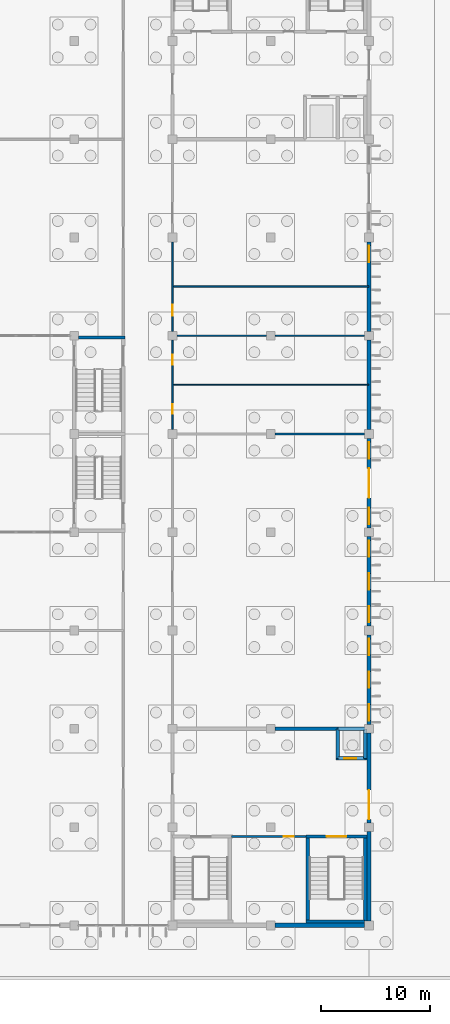
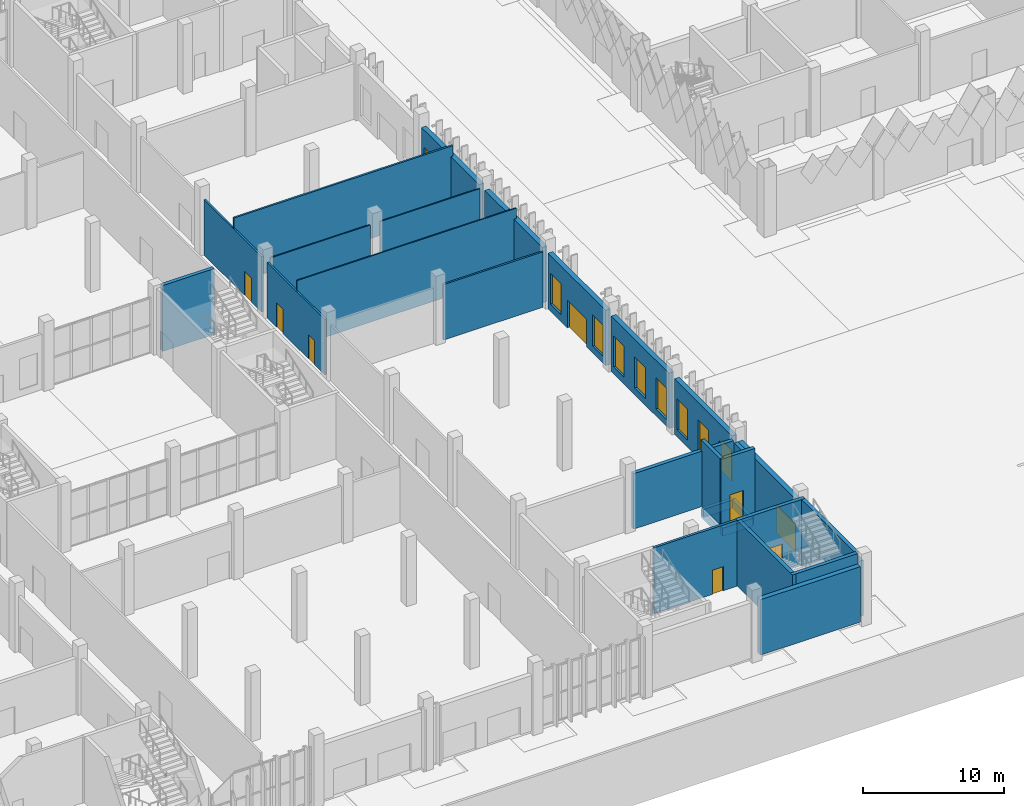
# One storey, part 80 of 198: 29 walls, 9 windows, 8 doors, 17 openings.
"""IFC4 building model written with IfcOpenShell, lengths in metres."""

from ifc_helpers import new_model, si_unit, direction, frame, frame_2d, origin, place, context, subcontext, project, spatial, rectangle, extrude, material, layer, layer_set, type_object, element, fill, save


model = new_model("IFC4")

# Units and contexts
model_context = context("Model", 3, precision=1e-05, world=origin(), true_north=direction((0.0, 1.0)))
body_context = subcontext(model_context, "Body", "Model", "MODEL_VIEW")
ifc_project = project(units=[si_unit("LENGTHUNIT", "METRE"), si_unit("AREAUNIT", "SQUARE_METRE"), si_unit("VOLUMEUNIT", "CUBIC_METRE"), si_unit("PLANEANGLEUNIT", "RADIAN"), si_unit("MASSUNIT", "GRAM", prefix="KILO")], contexts=[model_context])

# Site, building, storey
site_placement = place(None, origin())
site = spatial("IfcSite", under=ifc_project, at=site_placement, CompositionType="ELEMENT")
building_placement = place(site_placement, origin())
building = spatial("IfcBuilding", under=site, at=building_placement, Name="Opaline Strait Convention Centre", CompositionType="ELEMENT")
storey_placement = place(building_placement, origin())
storey = spatial("IfcBuildingStorey", under=building, at=storey_placement, Name="L00", CompositionType="ELEMENT", Elevation=0.0)

# Wall, opening, door
ifc_material_1 = material(Name="Gypsum board on metal studs with mineral wool")
ifc_layer_1 = layer(ifc_material_1, 0.199951171875)
ifc_layer_set_1 = layer_set([ifc_layer_1], Name="Gypsum board on metal studs with mineral wool")
wall_type_1 = type_object("IfcWallType", Name="Fire partition 200", PredefinedType="PARTITIONING", material=ifc_layer_set_1)
wall_1_placement = place(storey_placement, frame((75.25, 17.14990234375, 0.0), z_axis=(0.0, 0.0, 1.0), x_axis=(-1.0, 0.0, 0.0)))
wall_1 = element("IfcWall", 1, at=wall_1_placement, inside=storey, type_object=wall_type_1, Name="SE core STORE-N wall", PredefinedType="PARTITIONING", context=body_context, shape_type="SweptSolid", body=[
    extrude(rectangle(XDim=6.85009765625, YDim=0.199951171875, at=frame_2d((3.425048828125, 0.0))), origin(), (0.0, 0.0, 1.0), 5.719970703125),
])
opening_1_placement = place(wall_1_placement, frame((1.14990234375, 0.0, 0.0)))
opening_1 = element("IfcOpeningElement", 2, at=opening_1_placement, cuts=wall_1, Name="Opening R0-009", PredefinedType="OPENING", context=body_context, shape_type="SweptSolid", body=[
    extrude(rectangle(XDim=0.89990234375, YDim=2.10009765625, at=frame_2d((0.449951171875, 1.050048828125))), frame((0.0, 0.10986328125, 0.0), z_axis=(0.0, -1.0, 0.0), x_axis=(1.0, 0.0, 0.0)), (0.0, 0.0, 1.0), 0.219970703125),
])
ifc_material_2 = material(Name="Galvanised steel door leaf", Category="steel")
door_type_1 = type_object("IfcDoorType", Name="Services store door 900x2100 FD60", OperationType="SINGLE_SWING_LEFT", PredefinedType="DOOR", material=ifc_material_2)
door_1_placement = place(opening_1_placement, frame((0.89990234375, 0.0, 0.0), z_axis=(0.0, 0.0, 1.0), x_axis=(-1.0, 0.0, 0.0)))
door_1 = element("IfcDoor", 3, at=door_1_placement, inside=storey, type_object=door_type_1, Name="Services store door SE R0-009", ObjectType="RD8", OperationType="SINGLE_SWING_LEFT", OverallHeight=2.10009765625, OverallWidth=0.89990234375, PredefinedType="DOOR", context=body_context, shape_type="SweptSolid", body=[
    extrude(rectangle(XDim=0.89990234375, YDim=2.10009765625, at=frame_2d((0.449951171875, 1.050048828125))), frame((0.0, 0.02490234375, 0.0), z_axis=(0.0, -1.0, 0.0), x_axis=(1.0, 0.0, 0.0)), (0.0, 0.0, 1.0), 0.050048828125),
])
fill(opening_1, door_1)

# Walls
ifc_layer_2 = layer(ifc_material_1, 0.10009765625)
ifc_layer_set_2 = layer_set([ifc_layer_2], Name="Gypsum board on metal studs with mineral wool")
wall_type_2 = type_object("IfcWallType", Name="Light partition 100", PredefinedType="PARTITIONING", material=ifc_layer_set_2)
wall_2_placement = place(storey_placement, frame((63.0, 58.5, 0.0), z_axis=(0.0, 0.0, 1.0), x_axis=(1.0, 0.0, 0.0)))
element("IfcWall", 4, at=wall_2_placement, inside=storey, type_object=wall_type_2, Name="L00 partition", PredefinedType="PARTITIONING", context=body_context, shape_type="SweptSolid", body=[
    extrude(rectangle(XDim=18.0, YDim=0.10009765625, at=frame_2d((9.0, 0.0))), origin(), (0.0, 0.0, 1.0), 5.719970703125),
])
for number, where, z_axis, x_axis, name in (
    (5, (63.39990234375, 63.0, 0.0), (0.0, 0.0, 1.0), (1.0, 0.0, 0.0), "L00 partition"),
    (6, (72.39990234375, 63.0, 0.0), (0.0, 0.0, 1.0), (1.0, 0.0, 0.0), "L00 partition"),
):
    element("IfcWall", number, at=place(storey_placement, frame(where, z_axis=z_axis, x_axis=x_axis)), inside=storey, type_object=wall_type_2, Name=name, PredefinedType="PARTITIONING", context=body_context, shape_type="SweptSolid", body=[
        extrude(rectangle(XDim=8.2001953125, YDim=0.10009765625, at=frame_2d((4.10009765625, 0.0))), origin(), (0.0, 0.0, 1.0), 4.820068359375),
    ])
ifc_layer_3 = layer(ifc_material_1, 0.14990234375)
ifc_layer_set_3 = layer_set([ifc_layer_3], Name="Gypsum board on metal studs with mineral wool")
wall_type_3 = type_object("IfcWallType", Name="Partition 150", PredefinedType="PARTITIONING", material=ifc_layer_set_3)
wall_3_placement = place(storey_placement, frame((72.39990234375, 54.0, 0.0), z_axis=(0.0, 0.0, 1.0), x_axis=(1.0, 0.0, 0.0)))
element("IfcWall", 7, at=wall_3_placement, inside=storey, type_object=wall_type_3, Name="L00 partition", PredefinedType="PARTITIONING", context=body_context, shape_type="SweptSolid", body=[
    extrude(rectangle(XDim=8.2001953125, YDim=0.14990234375, at=frame_2d((4.10009765625, 0.0))), origin(), (0.0, 0.0, 1.0), 4.820068359375),
])
wall_4_placement = place(storey_placement, frame((63.0, 67.5, 0.0), z_axis=(0.0, 0.0, 1.0), x_axis=(1.0, 0.0, 0.0)))
element("IfcWall", 8, at=wall_4_placement, inside=storey, type_object=wall_type_3, Name="L00 partition", PredefinedType="PARTITIONING", context=body_context, shape_type="SweptSolid", body=[
    extrude(rectangle(XDim=18.0, YDim=0.14990234375, at=frame_2d((9.0, 0.0))), origin(), (0.0, 0.0, 1.0), 5.719970703125),
])

# Wall, openings, doors
wall_5_placement = place(storey_placement, frame((63.0, 54.39990234375, 0.0), z_axis=(0.0, 0.0, 1.0), x_axis=(0.0, 1.0, 0.0)))
wall_5 = element("IfcWall", 9, at=wall_5_placement, inside=storey, type_object=wall_type_3, Name="L00 partition", PredefinedType="PARTITIONING", context=body_context, shape_type="SweptSolid", body=[
    extrude(rectangle(XDim=8.2001953125, YDim=0.14990234375, at=frame_2d((4.10009765625, 0.0))), origin(), (0.0, 0.0, 1.0), 4.820068359375),
])
opening_2_placement = place(wall_5_placement, frame((1.449951171875, 0.0, 0.0)))
opening_2 = element("IfcOpeningElement", 10, at=opening_2_placement, cuts=wall_5, Name="Opening R0-049", PredefinedType="OPENING", context=body_context, shape_type="SweptSolid", body=[
    extrude(rectangle(XDim=0.89990234375, YDim=2.10009765625, at=frame_2d((0.449951171875, 1.050048828125))), frame((0.0, 0.0849609375, 0.0), z_axis=(0.0, -1.0, 0.0), x_axis=(1.0, 0.0, 0.0)), (0.0, 0.0, 1.0), 0.169921875),
])
opening_3_placement = place(wall_5_placement, frame((5.949951171875, 0.0, 0.0)))
opening_3 = element("IfcOpeningElement", 11, at=opening_3_placement, cuts=wall_5, Name="Opening R0-050", PredefinedType="OPENING", context=body_context, shape_type="SweptSolid", body=[
    extrude(rectangle(XDim=0.89990234375, YDim=2.10009765625, at=frame_2d((0.449951171875, 1.050048828125))), frame((0.0, 0.0849609375, 0.0), z_axis=(0.0, -1.0, 0.0), x_axis=(1.0, 0.0, 0.0)), (0.0, 0.0, 1.0), 0.169921875),
])
ifc_material_3 = material(Name="Timber door leaf in steel frame", Category="steel")
door_type_2 = type_object("IfcDoorType", Name="Toilet door 900x2100 FD30", OperationType="SINGLE_SWING_LEFT", PredefinedType="DOOR", material=ifc_material_3)
door_2_placement = place(opening_2_placement, frame((0.89990234375, 0.0, 0.0), z_axis=(0.0, 0.0, 1.0), x_axis=(-1.0, 0.0, 0.0)))
door_2 = element("IfcDoor", 12, at=door_2_placement, inside=storey, type_object=door_type_2, Name="Public Toilets Men door R0-049", ObjectType="RD11", OperationType="SINGLE_SWING_LEFT", OverallHeight=2.10009765625, OverallWidth=0.89990234375, PredefinedType="DOOR", context=body_context, shape_type="SweptSolid", body=[
    extrude(rectangle(XDim=0.89990234375, YDim=2.10009765625, at=frame_2d((0.449951171875, 1.050048828125))), frame((0.0, 0.02490234375, 0.0), z_axis=(0.0, -1.0, 0.0), x_axis=(1.0, 0.0, 0.0)), (0.0, 0.0, 1.0), 0.050048828125),
])
fill(opening_2, door_2)
door_3_placement = place(opening_3_placement, frame((0.89990234375, 0.0, 0.0), z_axis=(0.0, 0.0, 1.0), x_axis=(-1.0, 0.0, 0.0)))
door_3 = element("IfcDoor", 13, at=door_3_placement, inside=storey, type_object=door_type_2, Name="Public Toilets Women door R0-050", ObjectType="RD11", OperationType="SINGLE_SWING_LEFT", OverallHeight=2.10009765625, OverallWidth=0.89990234375, PredefinedType="DOOR", context=body_context, shape_type="SweptSolid", body=[
    extrude(rectangle(XDim=0.89990234375, YDim=2.10009765625, at=frame_2d((0.449951171875, 1.050048828125))), frame((0.0, 0.02490234375, 0.0), z_axis=(0.0, -1.0, 0.0), x_axis=(1.0, 0.0, 0.0)), (0.0, 0.0, 1.0), 0.050048828125),
])
fill(opening_3, door_3)

# Wall, opening, door
wall_6_placement = place(storey_placement, frame((63.0, 63.39990234375, 0.0), z_axis=(0.0, 0.0, 1.0), x_axis=(0.0, 1.0, 0.0)))
wall_6 = element("IfcWall", 14, at=wall_6_placement, inside=storey, type_object=wall_type_3, Name="L00 partition", PredefinedType="PARTITIONING", context=body_context, shape_type="SweptSolid", body=[
    extrude(rectangle(XDim=8.2001953125, YDim=0.14990234375, at=frame_2d((4.10009765625, 0.0))), origin(), (0.0, 0.0, 1.0), 4.820068359375),
])
opening_4_placement = place(wall_6_placement, frame((1.449951171875, 0.0, 0.0)))
opening_4 = element("IfcOpeningElement", 15, at=opening_4_placement, cuts=wall_6, Name="Opening R0-051", PredefinedType="OPENING", context=body_context, shape_type="SweptSolid", body=[
    extrude(rectangle(XDim=1.0, YDim=2.10009765625, at=frame_2d((0.5, 1.050048828125))), frame((0.0, 0.0849609375, 0.0), z_axis=(0.0, -1.0, 0.0), x_axis=(1.0, 0.0, 0.0)), (0.0, 0.0, 1.0), 0.169921875),
])
door_type_3 = type_object("IfcDoorType", Name="Accessible toilet door 1000x2100 FD30", OperationType="SINGLE_SWING_LEFT", PredefinedType="DOOR", material=ifc_material_3)
door_4_placement = place(opening_4_placement, frame((1.0, 0.0, 0.0), z_axis=(0.0, 0.0, 1.0), x_axis=(-1.0, 0.0, 0.0)))
door_4 = element("IfcDoor", 16, at=door_4_placement, inside=storey, type_object=door_type_3, Name="Accessible WC and Changing Room door R0-051", ObjectType="RD13", OperationType="SINGLE_SWING_LEFT", OverallHeight=2.10009765625, OverallWidth=1.0, PredefinedType="DOOR", context=body_context, shape_type="SweptSolid", body=[
    extrude(rectangle(XDim=1.0, YDim=2.10009765625, at=frame_2d((0.5, 1.050048828125))), frame((0.0, 0.02490234375, 0.0), z_axis=(0.0, -1.0, 0.0), x_axis=(1.0, 0.0, 0.0)), (0.0, 0.0, 1.0), 0.050048828125),
])
fill(opening_4, door_4)

# Wall
ifc_material_4 = material(Name="Concrete C40", Category="concrete")
ifc_layer_4 = layer(ifc_material_4, 0.300048828125)
ifc_layer_set_4 = layer_set([ifc_layer_4], Name="Concrete C40")
wall_type_4 = type_object("IfcWallType", Name="RC wall 300 C40", PredefinedType="SOLIDWALL", material=ifc_layer_set_4)
wall_7_placement = place(storey_placement, frame((80.60009765625, 9.35009765625, 0.0), z_axis=(0.0, 0.0, 1.0), x_axis=(-1.0, 0.0, 0.0)))
element("IfcWall", 17, at=wall_7_placement, inside=storey, type_object=wall_type_4, Name="SE core STA-S wall", PredefinedType="SOLIDWALL", context=body_context, shape_type="SweptSolid", body=[
    extrude(rectangle(XDim=5.35009765625, YDim=0.300048828125, at=frame_2d((2.675048828125, 0.0))), origin(), (0.0, 0.0, 1.0), 5.719970703125),
])

# Wall, opening, door
wall_8_placement = place(storey_placement, frame((80.800048828125, 17.14990234375, 0.0), z_axis=(0.0, 0.0, 1.0), x_axis=(-1.0, 0.0, 0.0)))
wall_8 = element("IfcWall", 18, at=wall_8_placement, inside=storey, type_object=wall_type_4, Name="SE core STA-N wall", PredefinedType="SOLIDWALL", context=body_context, shape_type="SweptSolid", body=[
    extrude(rectangle(XDim=5.550048828125, YDim=0.300048828125, at=frame_2d((2.77490234375, 0.0))), origin(), (0.0, 0.0, 1.0), 5.719970703125),
])
opening_5_placement = place(wall_8_placement, frame((1.875, 0.0, 0.0)))
opening_5 = element("IfcOpeningElement", 19, at=opening_5_placement, cuts=wall_8, Name="Opening R0-007", PredefinedType="OPENING", context=body_context, shape_type="SweptSolid", body=[
    extrude(rectangle(XDim=1.800048828125, YDim=2.39990234375, at=frame_2d((0.89990234375, 1.199951171875))), frame((0.0, 0.159912109375, 0.0), z_axis=(0.0, -1.0, 0.0), x_axis=(1.0, 0.0, 0.0)), (0.0, 0.0, 1.0), 0.320068359375),
])
ifc_material_5 = material(Name="Timber door leaves in steel frame", Category="steel")
door_type_4 = type_object("IfcDoorType", Name="Stair door 1800x2400 double FD60", OperationType="DOUBLE_DOOR_SINGLE_SWING", PredefinedType="DOOR", material=ifc_material_5)
door_5_placement = place(opening_5_placement, frame((1.800048828125, 0.0, 0.0), z_axis=(0.0, 0.0, 1.0), x_axis=(-1.0, 0.0, 0.0)))
door_5 = element("IfcDoor", 20, at=door_5_placement, inside=storey, type_object=door_type_4, Name="Stair door SEA R0-007", ObjectType="RD7", OperationType="DOUBLE_DOOR_SINGLE_SWING", OverallHeight=2.39990234375, OverallWidth=1.800048828125, PredefinedType="DOOR", context=body_context, shape_type="SweptSolid", body=[
    extrude(rectangle(XDim=1.800048828125, YDim=2.39990234375, at=frame_2d((0.89990234375, 1.199951171875))), frame((0.0, 0.02490234375, 0.0), z_axis=(0.0, -1.0, 0.0), x_axis=(1.0, 0.0, 0.0)), (0.0, 0.0, 1.0), 0.050048828125),
])
fill(opening_5, door_5)

# Walls
wall_9_placement = place(storey_placement, frame((80.64990234375, 9.39990234375, 0.0), z_axis=(0.0, 0.0, 1.0), x_axis=(0.0, 1.0, 0.0)))
element("IfcWall", 21, at=wall_9_placement, inside=storey, type_object=wall_type_4, Name="SE core STA-W wall", PredefinedType="SOLIDWALL", context=body_context, shape_type="SweptSolid", body=[
    extrude(rectangle(XDim=7.900146484375, YDim=0.300048828125, at=frame_2d((3.9501953125, 0.0))), origin(), (0.0, 0.0, 1.0), 5.719970703125),
])
wall_10_placement = place(storey_placement, frame((75.39990234375, 9.199951171875, 0.0), z_axis=(0.0, 0.0, 1.0), x_axis=(0.0, 1.0, 0.0)))
element("IfcWall", 22, at=wall_10_placement, inside=storey, type_object=wall_type_4, Name="SE core STA-E wall", PredefinedType="SOLIDWALL", context=body_context, shape_type="SweptSolid", body=[
    extrude(rectangle(XDim=8.10009765625, YDim=0.300048828125, at=frame_2d((4.050048828125, 0.0))), origin(), (0.0, 0.0, 1.0), 5.719970703125),
])
wall_11_placement = place(storey_placement, frame((80.60009765625, 27.0, 0.0), z_axis=(0.0, 0.0, 1.0), x_axis=(-1.0, 0.0, 0.0)))
element("IfcWall", 23, at=wall_11_placement, inside=storey, type_object=wall_type_4, Name="SE core BND-N wall", PredefinedType="SOLIDWALL", context=body_context, shape_type="SweptSolid", body=[
    extrude(rectangle(XDim=8.2001953125, YDim=0.300048828125, at=frame_2d((4.10009765625, 0.0))), origin(), (0.0, 0.0, 1.0), 4.820068359375),
])

# Wall, opening, door
wall_12_placement = place(storey_placement, frame((80.800048828125, 24.300048828125, 0.0), z_axis=(0.0, 0.0, 1.0), x_axis=(-1.0, 0.0, 0.0)))
wall_12 = element("IfcWall", 24, at=wall_12_placement, inside=storey, type_object=wall_type_4, Name="SE core LIFT-S wall", PredefinedType="SOLIDWALL", context=body_context, shape_type="SweptSolid", body=[
    extrude(rectangle(XDim=2.800048828125, YDim=0.300048828125, at=frame_2d((1.39990234375, 0.0))), origin(), (0.0, 0.0, 1.0), 5.719970703125),
])
opening_6_placement = place(wall_12_placement, frame((0.949951171875, 0.0, 0.0)))
opening_6 = element("IfcOpeningElement", 25, at=opening_6_placement, cuts=wall_12, Name="Opening R0-011", PredefinedType="OPENING", context=body_context, shape_type="SweptSolid", body=[
    extrude(rectangle(XDim=1.10009765625, YDim=2.39990234375, at=frame_2d((0.550048828125, 1.199951171875))), frame((0.0, 0.159912109375, 0.0), z_axis=(0.0, -1.0, 0.0), x_axis=(1.0, 0.0, 0.0)), (0.0, 0.0, 1.0), 0.320068359375),
])
ifc_material_6 = material(Name="Stainless steel 304 door leaves", Category="steel")
door_type_5 = type_object("IfcDoorType", Name="Lift landing door 1100x2400 sliding FD60", OperationType="SLIDING_TO_LEFT", PredefinedType="DOOR", material=ifc_material_6)
door_6_placement = place(opening_6_placement, origin())
door_6 = element("IfcDoor", 26, at=door_6_placement, inside=storey, type_object=door_type_5, Name="Lift landing door SEP R0-011", ObjectType="LD1", OperationType="SLIDING_TO_LEFT", OverallHeight=2.39990234375, OverallWidth=1.10009765625, PredefinedType="DOOR", context=body_context, shape_type="SweptSolid", body=[
    extrude(rectangle(XDim=1.10009765625, YDim=2.39990234375, at=frame_2d((0.550048828125, 1.199951171875))), frame((0.0, 0.02490234375, 0.0), z_axis=(0.0, -1.0, 0.0), x_axis=(1.0, 0.0, 0.0)), (0.0, 0.0, 1.0), 0.050048828125),
])
fill(opening_6, door_6)

# Walls
wall_13_placement = place(storey_placement, frame((78.14990234375, 24.300048828125, 0.0), z_axis=(0.0, 0.0, 1.0), x_axis=(0.0, 1.0, 0.0)))
element("IfcWall", 27, at=wall_13_placement, inside=storey, type_object=wall_type_4, Name="SE core LIFT-M wall", PredefinedType="SOLIDWALL", context=body_context, shape_type="SweptSolid", body=[
    extrude(rectangle(XDim=2.699951171875, YDim=0.300048828125, at=frame_2d((1.35009765625, 0.0))), origin(), (0.0, 0.0, 1.0), 5.719970703125),
])
wall_14_placement = place(storey_placement, frame((80.64990234375, 24.300048828125, 0.0), z_axis=(0.0, 0.0, 1.0), x_axis=(0.0, 1.0, 0.0)))
element("IfcWall", 28, at=wall_14_placement, inside=storey, type_object=wall_type_4, Name="SE core LIFT-W wall", PredefinedType="SOLIDWALL", context=body_context, shape_type="SweptSolid", body=[
    extrude(rectangle(XDim=2.300048828125, YDim=0.300048828125, at=frame_2d((1.14990234375, 0.0))), origin(), (0.0, 0.0, 1.0), 4.820068359375),
])
for number, where, z_axis, x_axis, name in (
    (29, (78.14990234375, 24.300048828125, -1.0), (0.0, 0.0, 1.0), (1.0, 0.0, 0.0), "Lift pit wall SE"),
    (30, (78.14990234375, 27.0, -1.0), (0.0, 0.0, 1.0), (1.0, 0.0, 0.0), "Lift pit wall SE"),
):
    element("IfcWall", number, at=place(storey_placement, frame(where, z_axis=z_axis, x_axis=x_axis)), inside=storey, type_object=wall_type_4, Name=name, PredefinedType="SOLIDWALL", context=body_context, shape_type="SweptSolid", body=[
        extrude(rectangle(XDim=2.5, YDim=0.300048828125, at=frame_2d((1.25, 0.0))), origin(), (0.0, 0.0, 1.0), 0.699951171875),
    ])
for number, where, z_axis, x_axis, name in (
    (31, (78.14990234375, 24.300048828125, -1.0), (0.0, 0.0, 1.0), (0.0, 1.0, 0.0), "Lift pit wall SE"),
    (32, (80.64990234375, 24.300048828125, -1.0), (0.0, 0.0, 1.0), (0.0, 1.0, 0.0), "Lift pit wall SE"),
):
    element("IfcWall", number, at=place(storey_placement, frame(where, z_axis=z_axis, x_axis=x_axis)), inside=storey, type_object=wall_type_4, Name=name, PredefinedType="SOLIDWALL", context=body_context, shape_type="SweptSolid", body=[
        extrude(rectangle(XDim=2.699951171875, YDim=0.300048828125, at=frame_2d((1.35009765625, 0.0))), origin(), (0.0, 0.0, 1.0), 0.699951171875),
    ])
wall_15_placement = place(storey_placement, frame((54.39990234375, 62.85009765625, 0.0), z_axis=(0.0, 0.0, 1.0), x_axis=(1.0, 0.0, 0.0)))
element("IfcWall", 33, at=wall_15_placement, inside=storey, type_object=wall_type_4, Name="ME core N wall", PredefinedType="SOLIDWALL", context=body_context, shape_type="SweptSolid", body=[
    extrude(rectangle(XDim=4.25, YDim=0.300048828125, at=frame_2d((2.125, 0.0))), origin(), (0.0, 0.0, 1.0), 5.719970703125),
])
ifc_layer_5 = layer(ifc_material_4, 0.320068359375)
ifc_material_7 = material(Name="Mineral wool insulation")
ifc_layer_6 = layer(ifc_material_7, 0.050048828125)
ifc_material_8 = material(Name="Gypsum board lining")
ifc_layer_7 = layer(ifc_material_8, 0.030029296875)
ifc_layer_set_5 = layer_set([ifc_layer_5, ifc_layer_6, ifc_layer_7], Name="Concrete C40, Mineral wool insulation, Gypsum board lining")
wall_type_5 = type_object("IfcWallType", Name="RC wall 400 C40", PredefinedType="SOLIDWALL", material=ifc_layer_set_5)
for number, where, z_axis, x_axis, name in (
    (34, (72.39990234375, 9.0, 0.0), (0.0, 0.0, 1.0), (1.0, 0.0, 0.0), "L00 S external wall 8"),
    (35, (81.0, 9.39990234375, 0.0), (0.0, 0.0, 1.0), (0.0, 1.0, 0.0), "L00 E external wall 1"),
):
    element("IfcWall", number, at=place(storey_placement, frame(where, z_axis=z_axis, x_axis=x_axis)), inside=storey, type_object=wall_type_5, Name=name, PredefinedType="SOLIDWALL", context=body_context, shape_type="SweptSolid", body=[
        extrude(rectangle(XDim=8.2001953125, YDim=0.39990234375, at=frame_2d((4.10009765625, 0.0))), origin(), (0.0, 0.0, 1.0), 4.820068359375),
    ])

# Wall, opening, door
wall_16_placement = place(storey_placement, frame((81.0, 18.39990234375, 0.0), z_axis=(0.0, 0.0, 1.0), x_axis=(0.0, 1.0, 0.0)))
wall_16 = element("IfcWall", 36, at=wall_16_placement, inside=storey, type_object=wall_type_5, Name="L00 E external wall 2", PredefinedType="SOLIDWALL", context=body_context, shape_type="SweptSolid", body=[
    extrude(rectangle(XDim=8.2001953125, YDim=0.39990234375, at=frame_2d((4.10009765625, 0.0))), origin(), (0.0, 0.0, 1.0), 4.820068359375),
])
opening_7_placement = place(wall_16_placement, frame((0.300048828125, 0.0, 0.0)))
opening_7 = element("IfcOpeningElement", 37, at=opening_7_placement, cuts=wall_16, Name="Opening R0-065", PredefinedType="OPENING", context=body_context, shape_type="SweptSolid", body=[
    extrude(rectangle(XDim=2.699951171875, YDim=2.39990234375, at=frame_2d((1.35009765625, 1.199951171875))), frame((0.0, 0.2099609375, 0.0), z_axis=(0.0, -1.0, 0.0), x_axis=(1.0, 0.0, 0.0)), (0.0, 0.0, 1.0), 0.419921875),
])
ifc_material_9 = material(Name="Aluminium framed double glazing", Category="aluminium")
door_type_6 = type_object("IfcDoorType", Name="Exit door 2700x2400 glazed pair", OperationType="DOUBLE_DOOR_SINGLE_SWING", PredefinedType="DOOR", material=ifc_material_9)
door_7_placement = place(opening_7_placement, origin())
door_7 = element("IfcDoor", 38, at=door_7_placement, inside=storey, type_object=door_type_6, Name="Core exit door SE R0-065", ObjectType="RD10", OperationType="DOUBLE_DOOR_SINGLE_SWING", OverallHeight=2.39990234375, OverallWidth=2.699951171875, PredefinedType="DOOR", context=body_context, shape_type="SweptSolid", body=[
    extrude(rectangle(XDim=2.699951171875, YDim=2.39990234375, at=frame_2d((1.35009765625, 1.199951171875))), frame((0.0, 0.02490234375, 0.0), z_axis=(0.0, -1.0, 0.0), x_axis=(1.0, 0.0, 0.0)), (0.0, 0.0, 1.0), 0.050048828125),
])
fill(opening_7, door_7)

# Wall, openings, windows
wall_17_placement = place(storey_placement, frame((81.0, 27.39990234375, 0.0), z_axis=(0.0, 0.0, 1.0), x_axis=(0.0, 1.0, 0.0)))
wall_17 = element("IfcWall", 39, at=wall_17_placement, inside=storey, type_object=wall_type_5, Name="L00 E external wall 3", PredefinedType="SOLIDWALL", context=body_context, shape_type="SweptSolid", body=[
    extrude(rectangle(XDim=8.2001953125, YDim=0.39990234375, at=frame_2d((4.10009765625, 0.0))), origin(), (0.0, 0.0, 1.0), 4.820068359375),
])
opening_8_placement = place(wall_17_placement, frame((0.35009765625, 0.0, 0.60009765625)))
opening_8 = element("IfcOpeningElement", 40, at=opening_8_placement, cuts=wall_17, Name="Opening RWN3", PredefinedType="OPENING", context=body_context, shape_type="SweptSolid", body=[
    extrude(rectangle(XDim=1.5, YDim=2.699951171875, at=frame_2d((0.75, 1.35009765625))), frame((0.0, 0.2099609375, 0.0), z_axis=(0.0, -1.0, 0.0), x_axis=(1.0, 0.0, 0.0)), (0.0, 0.0, 1.0), 0.419921875),
])
opening_9_placement = place(wall_17_placement, frame((3.35009765625, 0.0, 0.60009765625)))
opening_9 = element("IfcOpeningElement", 41, at=opening_9_placement, cuts=wall_17, Name="Opening RWN3", PredefinedType="OPENING", context=body_context, shape_type="SweptSolid", body=[
    extrude(rectangle(XDim=1.5, YDim=2.699951171875, at=frame_2d((0.75, 1.35009765625))), frame((0.0, 0.2099609375, 0.0), z_axis=(0.0, -1.0, 0.0), x_axis=(1.0, 0.0, 0.0)), (0.0, 0.0, 1.0), 0.419921875),
])
opening_10_placement = place(wall_17_placement, frame((6.35009765625, 0.0, 0.60009765625)))
opening_10 = element("IfcOpeningElement", 42, at=opening_10_placement, cuts=wall_17, Name="Opening RWN3", PredefinedType="OPENING", context=body_context, shape_type="SweptSolid", body=[
    extrude(rectangle(XDim=1.5, YDim=2.699951171875, at=frame_2d((0.75, 1.35009765625))), frame((0.0, 0.2099609375, 0.0), z_axis=(0.0, -1.0, 0.0), x_axis=(1.0, 0.0, 0.0)), (0.0, 0.0, 1.0), 0.419921875),
])
window_type = type_object("IfcWindowType", Name="Window 1500x2700 sill 600", PartitioningType="SINGLE_PANEL", PredefinedType="WINDOW", material=ifc_material_9)
window_1_placement = place(opening_8_placement, origin())
window_1 = element("IfcWindow", 43, at=window_1_placement, inside=storey, type_object=window_type, Name="Window L00-E3-W1", OverallHeight=2.699951171875, OverallWidth=1.5, PartitioningType="SINGLE_PANEL", PredefinedType="WINDOW", context=body_context, shape_type="SweptSolid", body=[
    extrude(rectangle(XDim=1.5, YDim=2.699951171875, at=frame_2d((0.75, 1.35009765625))), frame((0.0, 0.030029296875, 0.0), z_axis=(0.0, -1.0, 0.0), x_axis=(1.0, 0.0, 0.0)), (0.0, 0.0, 1.0), 0.06005859375),
])
fill(opening_8, window_1)
window_2_placement = place(opening_9_placement, origin())
window_2 = element("IfcWindow", 44, at=window_2_placement, inside=storey, type_object=window_type, Name="Window L00-E3-W2", OverallHeight=2.699951171875, OverallWidth=1.5, PartitioningType="SINGLE_PANEL", PredefinedType="WINDOW", context=body_context, shape_type="SweptSolid", body=[
    extrude(rectangle(XDim=1.5, YDim=2.699951171875, at=frame_2d((0.75, 1.35009765625))), frame((0.0, 0.030029296875, 0.0), z_axis=(0.0, -1.0, 0.0), x_axis=(1.0, 0.0, 0.0)), (0.0, 0.0, 1.0), 0.06005859375),
])
fill(opening_9, window_2)
window_3_placement = place(opening_10_placement, origin())
window_3 = element("IfcWindow", 45, at=window_3_placement, inside=storey, type_object=window_type, Name="Window L00-E3-W3", OverallHeight=2.699951171875, OverallWidth=1.5, PartitioningType="SINGLE_PANEL", PredefinedType="WINDOW", context=body_context, shape_type="SweptSolid", body=[
    extrude(rectangle(XDim=1.5, YDim=2.699951171875, at=frame_2d((0.75, 1.35009765625))), frame((0.0, 0.030029296875, 0.0), z_axis=(0.0, -1.0, 0.0), x_axis=(1.0, 0.0, 0.0)), (0.0, 0.0, 1.0), 0.06005859375),
])
fill(opening_10, window_3)

wall_18_placement = place(storey_placement, frame((81.0, 36.39990234375, 0.0), z_axis=(0.0, 0.0, 1.0), x_axis=(0.0, 1.0, 0.0)))
wall_18 = element("IfcWall", 46, at=wall_18_placement, inside=storey, type_object=wall_type_5, Name="L00 E external wall 4", PredefinedType="SOLIDWALL", context=body_context, shape_type="SweptSolid", body=[
    extrude(rectangle(XDim=8.2001953125, YDim=0.39990234375, at=frame_2d((4.10009765625, 0.0))), origin(), (0.0, 0.0, 1.0), 4.820068359375),
])
opening_11_placement = place(wall_18_placement, frame((0.35009765625, 0.0, 0.60009765625)))
opening_11 = element("IfcOpeningElement", 47, at=opening_11_placement, cuts=wall_18, Name="Opening RWN3", PredefinedType="OPENING", context=body_context, shape_type="SweptSolid", body=[
    extrude(rectangle(XDim=1.5, YDim=2.699951171875, at=frame_2d((0.75, 1.35009765625))), frame((0.0, 0.2099609375, 0.0), z_axis=(0.0, -1.0, 0.0), x_axis=(1.0, 0.0, 0.0)), (0.0, 0.0, 1.0), 0.419921875),
])
opening_12_placement = place(wall_18_placement, frame((3.35009765625, 0.0, 0.60009765625)))
opening_12 = element("IfcOpeningElement", 48, at=opening_12_placement, cuts=wall_18, Name="Opening RWN3", PredefinedType="OPENING", context=body_context, shape_type="SweptSolid", body=[
    extrude(rectangle(XDim=1.5, YDim=2.699951171875, at=frame_2d((0.75, 1.35009765625))), frame((0.0, 0.2099609375, 0.0), z_axis=(0.0, -1.0, 0.0), x_axis=(1.0, 0.0, 0.0)), (0.0, 0.0, 1.0), 0.419921875),
])
opening_13_placement = place(wall_18_placement, frame((6.35009765625, 0.0, 0.60009765625)))
opening_13 = element("IfcOpeningElement", 49, at=opening_13_placement, cuts=wall_18, Name="Opening RWN3", PredefinedType="OPENING", context=body_context, shape_type="SweptSolid", body=[
    extrude(rectangle(XDim=1.5, YDim=2.699951171875, at=frame_2d((0.75, 1.35009765625))), frame((0.0, 0.2099609375, 0.0), z_axis=(0.0, -1.0, 0.0), x_axis=(1.0, 0.0, 0.0)), (0.0, 0.0, 1.0), 0.419921875),
])
window_4_placement = place(opening_11_placement, origin())
window_4 = element("IfcWindow", 50, at=window_4_placement, inside=storey, type_object=window_type, Name="Window L00-E4-W1", OverallHeight=2.699951171875, OverallWidth=1.5, PartitioningType="SINGLE_PANEL", PredefinedType="WINDOW", context=body_context, shape_type="SweptSolid", body=[
    extrude(rectangle(XDim=1.5, YDim=2.699951171875, at=frame_2d((0.75, 1.35009765625))), frame((0.0, 0.030029296875, 0.0), z_axis=(0.0, -1.0, 0.0), x_axis=(1.0, 0.0, 0.0)), (0.0, 0.0, 1.0), 0.06005859375),
])
fill(opening_11, window_4)
window_5_placement = place(opening_12_placement, origin())
window_5 = element("IfcWindow", 51, at=window_5_placement, inside=storey, type_object=window_type, Name="Window L00-E4-W2", OverallHeight=2.699951171875, OverallWidth=1.5, PartitioningType="SINGLE_PANEL", PredefinedType="WINDOW", context=body_context, shape_type="SweptSolid", body=[
    extrude(rectangle(XDim=1.5, YDim=2.699951171875, at=frame_2d((0.75, 1.35009765625))), frame((0.0, 0.030029296875, 0.0), z_axis=(0.0, -1.0, 0.0), x_axis=(1.0, 0.0, 0.0)), (0.0, 0.0, 1.0), 0.06005859375),
])
fill(opening_12, window_5)
window_6_placement = place(opening_13_placement, origin())
window_6 = element("IfcWindow", 52, at=window_6_placement, inside=storey, type_object=window_type, Name="Window L00-E4-W3", OverallHeight=2.699951171875, OverallWidth=1.5, PartitioningType="SINGLE_PANEL", PredefinedType="WINDOW", context=body_context, shape_type="SweptSolid", body=[
    extrude(rectangle(XDim=1.5, YDim=2.699951171875, at=frame_2d((0.75, 1.35009765625))), frame((0.0, 0.030029296875, 0.0), z_axis=(0.0, -1.0, 0.0), x_axis=(1.0, 0.0, 0.0)), (0.0, 0.0, 1.0), 0.06005859375),
])
fill(opening_13, window_6)

# Wall, openings, door, windows
wall_19_placement = place(storey_placement, frame((81.0, 45.39990234375, 0.0), z_axis=(0.0, 0.0, 1.0), x_axis=(0.0, 1.0, 0.0)))
wall_19 = element("IfcWall", 53, at=wall_19_placement, inside=storey, type_object=wall_type_5, Name="L00 E external wall 5", PredefinedType="SOLIDWALL", context=body_context, shape_type="SweptSolid", body=[
    extrude(rectangle(XDim=8.2001953125, YDim=0.39990234375, at=frame_2d((4.10009765625, 0.0))), origin(), (0.0, 0.0, 1.0), 4.820068359375),
])
opening_14_placement = place(wall_19_placement, frame((0.35009765625, 0.0, 0.60009765625)))
opening_14 = element("IfcOpeningElement", 54, at=opening_14_placement, cuts=wall_19, Name="Opening RWN3", PredefinedType="OPENING", context=body_context, shape_type="SweptSolid", body=[
    extrude(rectangle(XDim=1.5, YDim=2.699951171875, at=frame_2d((0.75, 1.35009765625))), frame((0.0, 0.2099609375, 0.0), z_axis=(0.0, -1.0, 0.0), x_axis=(1.0, 0.0, 0.0)), (0.0, 0.0, 1.0), 0.419921875),
])
opening_15_placement = place(wall_19_placement, frame((6.35009765625, 0.0, 0.60009765625)))
opening_15 = element("IfcOpeningElement", 55, at=opening_15_placement, cuts=wall_19, Name="Opening RWN3", PredefinedType="OPENING", context=body_context, shape_type="SweptSolid", body=[
    extrude(rectangle(XDim=1.5, YDim=2.699951171875, at=frame_2d((0.75, 1.35009765625))), frame((0.0, 0.2099609375, 0.0), z_axis=(0.0, -1.0, 0.0), x_axis=(1.0, 0.0, 0.0)), (0.0, 0.0, 1.0), 0.419921875),
])
opening_16_placement = place(wall_19_placement, frame((2.75, 0.0, 0.0)))
opening_16 = element("IfcOpeningElement", 56, at=opening_16_placement, cuts=wall_19, Name="Opening R0-066", PredefinedType="OPENING", context=body_context, shape_type="SweptSolid", body=[
    extrude(rectangle(XDim=2.699951171875, YDim=2.39990234375, at=frame_2d((1.35009765625, 1.199951171875))), frame((0.0, 0.2099609375, 0.0), z_axis=(0.0, -1.0, 0.0), x_axis=(1.0, 0.0, 0.0)), (0.0, 0.0, 1.0), 0.419921875),
])
door_8_placement = place(opening_16_placement, origin())
door_8 = element("IfcDoor", 57, at=door_8_placement, inside=storey, type_object=door_type_6, Name="Service exit door R0-066", ObjectType="RD10", OperationType="DOUBLE_DOOR_SINGLE_SWING", OverallHeight=2.39990234375, OverallWidth=2.699951171875, PredefinedType="DOOR", context=body_context, shape_type="SweptSolid", body=[
    extrude(rectangle(XDim=2.699951171875, YDim=2.39990234375, at=frame_2d((1.35009765625, 1.199951171875))), frame((0.0, 0.02490234375, 0.0), z_axis=(0.0, -1.0, 0.0), x_axis=(1.0, 0.0, 0.0)), (0.0, 0.0, 1.0), 0.050048828125),
])
fill(opening_16, door_8)
window_7_placement = place(opening_14_placement, origin())
window_7 = element("IfcWindow", 58, at=window_7_placement, inside=storey, type_object=window_type, Name="Window L00-E5-W1", OverallHeight=2.699951171875, OverallWidth=1.5, PartitioningType="SINGLE_PANEL", PredefinedType="WINDOW", context=body_context, shape_type="SweptSolid", body=[
    extrude(rectangle(XDim=1.5, YDim=2.699951171875, at=frame_2d((0.75, 1.35009765625))), frame((0.0, 0.030029296875, 0.0), z_axis=(0.0, -1.0, 0.0), x_axis=(1.0, 0.0, 0.0)), (0.0, 0.0, 1.0), 0.06005859375),
])
fill(opening_14, window_7)
window_8_placement = place(opening_15_placement, origin())
window_8 = element("IfcWindow", 59, at=window_8_placement, inside=storey, type_object=window_type, Name="Window L00-E5-W2", OverallHeight=2.699951171875, OverallWidth=1.5, PartitioningType="SINGLE_PANEL", PredefinedType="WINDOW", context=body_context, shape_type="SweptSolid", body=[
    extrude(rectangle(XDim=1.5, YDim=2.699951171875, at=frame_2d((0.75, 1.35009765625))), frame((0.0, 0.030029296875, 0.0), z_axis=(0.0, -1.0, 0.0), x_axis=(1.0, 0.0, 0.0)), (0.0, 0.0, 1.0), 0.06005859375),
])
fill(opening_15, window_8)

# Wall
wall_20_placement = place(storey_placement, frame((81.0, 54.39990234375, 0.0), z_axis=(0.0, 0.0, 1.0), x_axis=(0.0, 1.0, 0.0)))
element("IfcWall", 60, at=wall_20_placement, inside=storey, type_object=wall_type_5, Name="L00 E external wall 6", PredefinedType="SOLIDWALL", context=body_context, shape_type="SweptSolid", body=[
    extrude(rectangle(XDim=8.2001953125, YDim=0.39990234375, at=frame_2d((4.10009765625, 0.0))), origin(), (0.0, 0.0, 1.0), 4.820068359375),
])

# Wall, opening, window
wall_21_placement = place(storey_placement, frame((81.0, 63.39990234375, 0.0), z_axis=(0.0, 0.0, 1.0), x_axis=(0.0, 1.0, 0.0)))
wall_21 = element("IfcWall", 61, at=wall_21_placement, inside=storey, type_object=wall_type_5, Name="L00 E external wall 7", PredefinedType="SOLIDWALL", context=body_context, shape_type="SweptSolid", body=[
    extrude(rectangle(XDim=8.2001953125, YDim=0.39990234375, at=frame_2d((4.10009765625, 0.0))), origin(), (0.0, 0.0, 1.0), 4.820068359375),
])
opening_17_placement = place(wall_21_placement, frame((6.35009765625, 0.0, 0.60009765625)))
opening_17 = element("IfcOpeningElement", 62, at=opening_17_placement, cuts=wall_21, Name="Opening RWN3", PredefinedType="OPENING", context=body_context, shape_type="SweptSolid", body=[
    extrude(rectangle(XDim=1.5, YDim=2.699951171875, at=frame_2d((0.75, 1.35009765625))), frame((0.0, 0.2099609375, 0.0), z_axis=(0.0, -1.0, 0.0), x_axis=(1.0, 0.0, 0.0)), (0.0, 0.0, 1.0), 0.419921875),
])
window_9_placement = place(opening_17_placement, origin())
window_9 = element("IfcWindow", 63, at=window_9_placement, inside=storey, type_object=window_type, Name="Window L00-E7-W3", OverallHeight=2.699951171875, OverallWidth=1.5, PartitioningType="SINGLE_PANEL", PredefinedType="WINDOW", context=body_context, shape_type="SweptSolid", body=[
    extrude(rectangle(XDim=1.5, YDim=2.699951171875, at=frame_2d((0.75, 1.35009765625))), frame((0.0, 0.030029296875, 0.0), z_axis=(0.0, -1.0, 0.0), x_axis=(1.0, 0.0, 0.0)), (0.0, 0.0, 1.0), 0.06005859375),
])
fill(opening_17, window_9)

save(model, "model.ifc")
